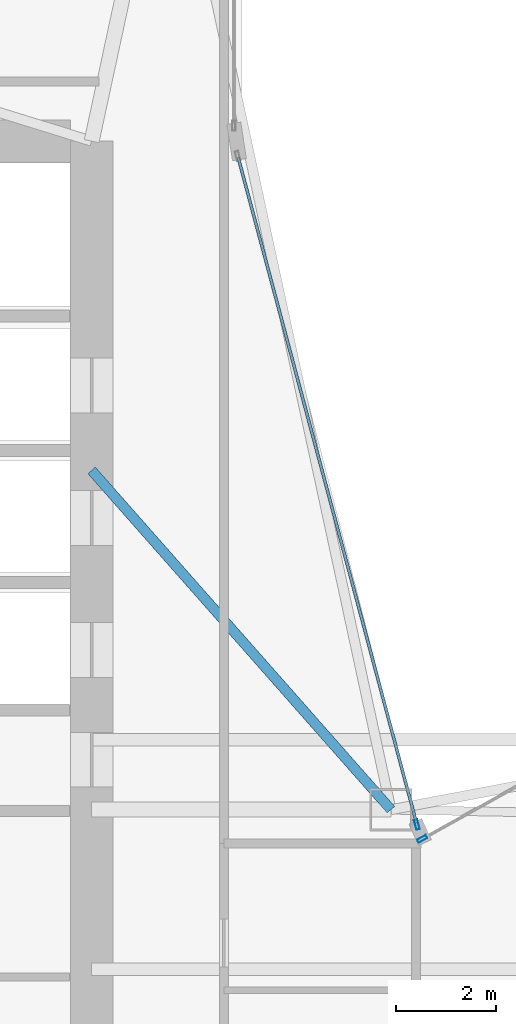
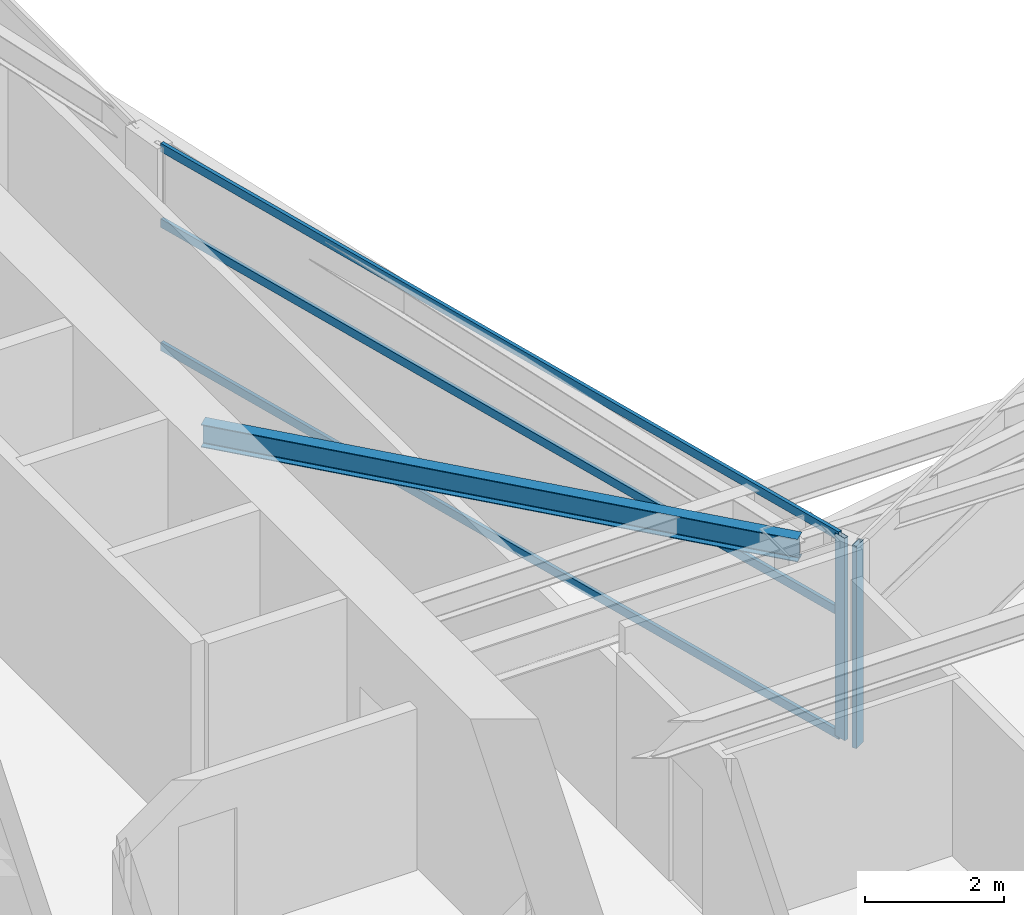
# One storey, part 10 of 28: 5 members, 1 beam, 2 elements without a shape of their own.
"""IFC4 building model written with IfcOpenShell, lengths in metres."""

from ifc_helpers import new_model, si_unit, direction, frame, origin, origin_2d, place, context, subcontext, project, spatial, hollow_rectangle, i_section, extrude, material, layer, layer_set, material_profile, profile_set, type_object, element, aggregate, save


model = new_model("IFC4")

# Units and contexts
model_context = context("Model", 3, precision=1e-05, world=origin(), true_north=direction((0.0, 1.0)))
body_context = subcontext(model_context, "Body", "Model", "MODEL_VIEW")
ifc_project = project(units=[si_unit("LENGTHUNIT", "METRE"), si_unit("AREAUNIT", "SQUARE_METRE"), si_unit("VOLUMEUNIT", "CUBIC_METRE"), si_unit("PLANEANGLEUNIT", "RADIAN"), si_unit("MASSUNIT", "GRAM", prefix="KILO")], contexts=[model_context])

# Site, building, storey
site_placement = place(None, origin())
site = spatial("IfcSite", under=ifc_project, at=site_placement, CompositionType="ELEMENT")
building_placement = place(site_placement, origin())
building = spatial("IfcBuilding", under=site, at=building_placement, Name="Calvorn Quay Hotel", CompositionType="ELEMENT")
storey_placement = place(building_placement, frame((0.0, 0.0, 131.60009765625)))
storey = spatial("IfcBuildingStorey", under=building, at=storey_placement, Name="L32", CompositionType="ELEMENT", Elevation=131.60009765625)

# Beam
ifc_material_1 = material(Name="Steel Q355B", Category="steel")
ifc_material_profile_1 = material_profile(ifc_material_1, i_section(OverallWidth=0.199951171875, OverallDepth=0.39990234375, WebThickness=0.008056640625, FlangeThickness=0.012939453125, FilletRadius=0.01611328125, at=origin_2d()), Name="HN400x200x8x13")
ifc_profile_set_1 = profile_set([ifc_material_profile_1], Name="Steel Q355B")
beam_type = type_object("IfcBeamType", Name="BM-JOIST-TYP", PredefinedType="JOIST", material=ifc_profile_set_1)
beam_placement = place(storey_placement, frame((15.0, 31.800048828125, 3.33984375), z_axis=(0.661618965899, -0.749840212287, 0.0), x_axis=(0.749840212287, 0.661618965899, 0.0)))
element("IfcBeam", 1, at=beam_placement, inside=storey, type_object=beam_type, Name="Beam BJ-L32-C1", PredefinedType="JOIST", context=body_context, shape_type="SweptSolid", body=[
    extrude(i_section(OverallWidth=0.199951171875, OverallDepth=0.39990234375, WebThickness=0.008056640625, FlangeThickness=0.012939453125, FilletRadius=0.01611328125, at=origin_2d()), origin(), (0.0, 0.0, 1.0), 9.068603515625),
])

# Curtain wall, member
ifc_material_2 = material(Name="Pale Anodised Aluminium and Low-E Glass", Category="aluminium")
ifc_layer = layer(ifc_material_2, 0.219970703125)
ifc_layer_set = layer_set([ifc_layer], Name="CW-SYS-Z2")
curtain_wall_type = type_object("IfcCurtainWallType", Name="CW-SYS-Z2", PredefinedType="NOTDEFINED", material=ifc_layer_set)
curtain_wall_1_placement = place(storey_placement, origin())
curtain_wall_1 = element("IfcCurtainWall", 2, at=curtain_wall_1_placement, inside=storey, type_object=curtain_wall_type, Name="Inner Court Curtain Wall L32-NE1", PredefinedType="NOTDEFINED")
ifc_material_3 = material(Name="Pale Anodised Aluminium 6063-T6", Category="aluminium")
ifc_material_profile_2 = material_profile(ifc_material_3, hollow_rectangle(XDim=0.070068359375, YDim=0.199951171875, WallThickness=0.00390625, at=origin_2d()), Name="ALU-M200x70x4")
ifc_profile_set_2 = profile_set([ifc_material_profile_2], Name="Pale Anodised Aluminium 6063-T6")
member_type_1 = type_object("IfcMemberType", Name="CW-SYS-Z2-MUL", PredefinedType="MULLION", material=ifc_profile_set_2)
member_1_placement = place(storey_placement, frame((21.626220703125, 24.41455078125, 0.0), z_axis=(0.0, 0.0, 1.0), x_axis=(0.486858256224, -0.873480989116, 0.0)))
member_1 = element("IfcMember", 3, at=member_1_placement, type_object=member_type_1, Name="CW-L32-NE1 mullion 4", PredefinedType="MULLION", context=body_context, shape_type="SweptSolid", body=[
    extrude(hollow_rectangle(XDim=0.070068359375, YDim=0.199951171875, WallThickness=0.00390625, at=origin_2d()), origin(), (0.0, 0.0, 1.0), 3.559814453125),
])
aggregate(curtain_wall_1, [member_1])

# Curtain wall, members
curtain_wall_2_placement = place(storey_placement, origin())
curtain_wall_2 = element("IfcCurtainWall", 4, at=curtain_wall_2_placement, inside=storey, type_object=curtain_wall_type, Name="Inner Court Curtain Wall L32-IC1", PredefinedType="NOTDEFINED")
member_2_placement = place(storey_placement, frame((21.520263671875, 24.698974609375, 0.0), z_axis=(0.0, 0.0, 1.0), x_axis=(-0.96593652056, -0.25877913024, 0.0)))
member_2 = element("IfcMember", 5, at=member_2_placement, type_object=member_type_1, Name="CW-L32-IC1 mullion 1", PredefinedType="MULLION", context=body_context, shape_type="SweptSolid", body=[
    extrude(hollow_rectangle(XDim=0.070068359375, YDim=0.199951171875, WallThickness=0.00390625, at=origin_2d()), origin(), (0.0, 0.0, 1.0), 3.559814453125),
])
ifc_material_4 = material(Name="Pale Anodised Aluminium 6063-T6", Category="aluminium")
ifc_material_profile_3 = material_profile(ifc_material_4, hollow_rectangle(XDim=0.06005859375, YDim=0.14990234375, WallThickness=0.00341796875, at=origin_2d()), Name="ALU-T150x60x3.5")
ifc_profile_set_3 = profile_set([ifc_material_profile_3], Name="Pale Anodised Aluminium 6063-T6")
member_type_2 = type_object("IfcMemberType", Name="CW-SYS-Z2-TRN", PredefinedType="USERDEFINED", material=ifc_profile_set_3)
member_3_placement = place(storey_placement, frame((21.512451171875, 24.72802734375, 0.02978515625), z_axis=(-0.258781136883, 0.965935982969, 0.0), x_axis=(-0.965935982969, -0.258781136883, 0.0)))
member_3 = element("IfcMember", 6, at=member_3_placement, type_object=member_type_2, Name="CW-L32-IC1 transom 1.1", ObjectType="TRANSOM", PredefinedType="USERDEFINED", context=body_context, shape_type="SweptSolid", body=[
    extrude(hollow_rectangle(XDim=0.06005859375, YDim=0.14990234375, WallThickness=0.00341796875, at=origin_2d()), origin(), (0.0, 0.0, 1.0), 13.814453125),
])
member_4_placement = place(storey_placement, frame((21.512451171875, 24.72802734375, 2.199951171875), z_axis=(-0.258781136883, 0.965935982969, 0.0), x_axis=(-0.965935982969, -0.258781136883, 0.0)))
member_4 = element("IfcMember", 7, at=member_4_placement, type_object=member_type_2, Name="CW-L32-IC1 transom 1.2", ObjectType="TRANSOM", PredefinedType="USERDEFINED", context=body_context, shape_type="SweptSolid", body=[
    extrude(hollow_rectangle(XDim=0.06005859375, YDim=0.14990234375, WallThickness=0.00341796875, at=origin_2d()), origin(), (0.0, 0.0, 1.0), 13.814453125),
])
member_5_placement = place(storey_placement, frame((21.512451171875, 24.72802734375, 3.52978515625), z_axis=(-0.258781136883, 0.965935982969, 0.0), x_axis=(-0.965935982969, -0.258781136883, 0.0)))
member_5 = element("IfcMember", 8, at=member_5_placement, type_object=member_type_2, Name="CW-L32-IC1 transom 1.3", ObjectType="TRANSOM", PredefinedType="USERDEFINED", context=body_context, shape_type="SweptSolid", body=[
    extrude(hollow_rectangle(XDim=0.06005859375, YDim=0.14990234375, WallThickness=0.00341796875, at=origin_2d()), origin(), (0.0, 0.0, 1.0), 13.814453125),
])
aggregate(curtain_wall_2, [member_2, member_3, member_4, member_5])

save(model, "model.ifc")
